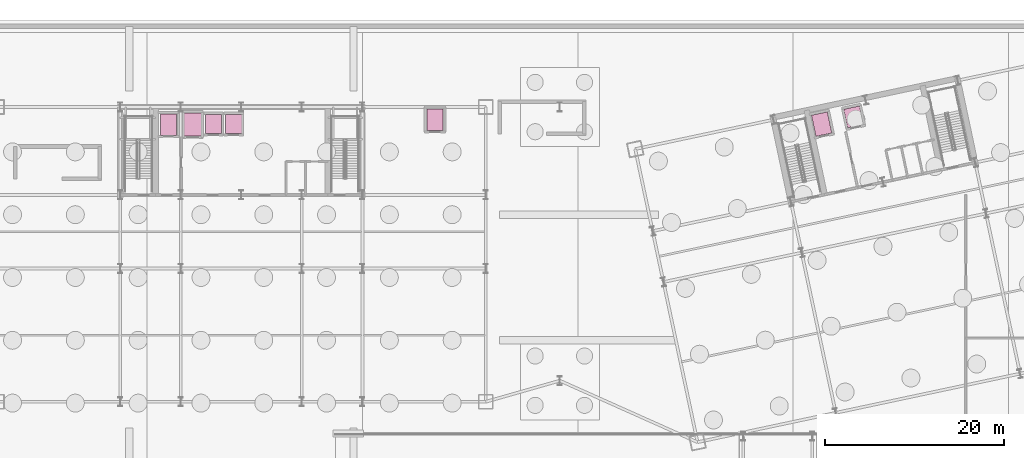
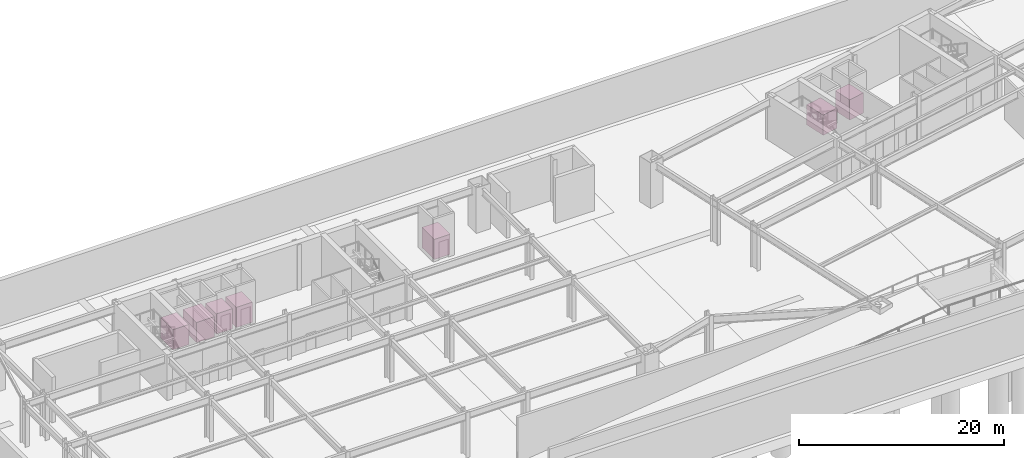
# One storey, part 15 of 15: 7 transport elements.
"""IFC4 building model written with IfcOpenShell, lengths in metres."""

from ifc_helpers import new_model, si_unit, direction, frame, origin, origin_2d, place, context, subcontext, project, spatial, rectangle, extrude, material, type_object, element, save


model = new_model("IFC4")

# Units and contexts
model_context = context("Model", 3, precision=1e-05, world=origin(), true_north=direction((0.0, 1.0)))
body_context = subcontext(model_context, "Body", "Model", "MODEL_VIEW")
ifc_project = project(units=[si_unit("LENGTHUNIT", "METRE"), si_unit("AREAUNIT", "SQUARE_METRE"), si_unit("VOLUMEUNIT", "CUBIC_METRE"), si_unit("PLANEANGLEUNIT", "RADIAN"), si_unit("MASSUNIT", "GRAM", prefix="KILO")], contexts=[model_context])

# Site, building, storey
site_placement = place(None, origin())
site = spatial("IfcSite", under=ifc_project, at=site_placement, CompositionType="ELEMENT")
building_placement = place(site_placement, origin())
building = spatial("IfcBuilding", under=site, at=building_placement, Name="Haevon Station Towers", CompositionType="ELEMENT")
storey_placement = place(building_placement, frame((0.0, 0.0, -10.800048828125)))
storey = spatial("IfcBuildingStorey", under=building, at=storey_placement, Name="B02", CompositionType="ELEMENT", Elevation=-10.800048828125)

# Transport elements
ifc_material = material(Name="Stainless steel cabin assembly", Category="steel")
transport_element_type_1 = type_object("IfcTransportElementType", Name="LFT-FF1824", PredefinedType="ELEVATOR", material=ifc_material)
for number, where, z_axis, x_axis, name in (
    (1, (29.39990234375, 46.050048828125, 0.0), (0.0, 0.0, 1.0), (1.0, 0.0, 0.0), "Tower 1 Firefighting and Evacuation Lift FL1"),
    (2, (102.178466796875, 46.09375, 0.0), (0.0, 0.0, 1.0), (0.978147600734, 0.207911690818, 0.0), "Tower 2 Firefighting and Evacuation Lift FL2"),
):
    element("IfcTransportElement", number, at=place(storey_placement, frame(where, z_axis=z_axis, x_axis=x_axis)), inside=storey, type_object=transport_element_type_1, Name=name, PredefinedType="ELEVATOR", context=body_context, shape_type="SweptSolid", body=[
        extrude(rectangle(XDim=1.800048828125, YDim=2.39990234375, at=origin_2d()), origin(), (0.0, 0.0, 1.0), 2.39990234375),
    ])
transport_element_type_2 = type_object("IfcTransportElementType", Name="LFT-PAX1821", PredefinedType="ELEVATOR", material=ifc_material)
for number, where, z_axis, x_axis, name in (
    (3, (34.39990234375, 46.10009765625, 0.0), (0.0, 0.0, 1.0), (1.0, 0.0, 0.0), "Tower 1 Low-Rise Passenger Lift PL1"),
    (4, (36.64990234375, 46.10009765625, 0.0), (0.0, 0.0, 1.0), (1.0, 0.0, 0.0), "Tower 1 Low-Rise Passenger Lift PL2"),
    (5, (105.73828125, 46.901611328125, 0.0), (0.0, 0.0, 1.0), (0.978147600734, 0.207911690818, 0.0), "Tower 2 Low-Rise Passenger Lift PL7"),
):
    element("IfcTransportElement", number, at=place(storey_placement, frame(where, z_axis=z_axis, x_axis=x_axis)), inside=storey, type_object=transport_element_type_2, Name=name, PredefinedType="ELEVATOR", context=body_context, shape_type="SweptSolid", body=[
        extrude(rectangle(XDim=1.800048828125, YDim=2.10009765625, at=origin_2d()), origin(), (0.0, 0.0, 1.0), 2.39990234375),
    ])
transport_element_type_3 = type_object("IfcTransportElementType", Name="LFT-PAX1824", PredefinedType="ELEVATOR", material=ifc_material)
transport_element_1_placement = place(storey_placement, frame((59.10009765625, 46.60009765625, 0.0), z_axis=(0.0, 0.0, 1.0), x_axis=(1.0, 0.0, 0.0)))
element("IfcTransportElement", 6, at=transport_element_1_placement, inside=storey, type_object=transport_element_type_3, Name="Station Concourse Accessible Lift PL11", PredefinedType="ELEVATOR", context=body_context, shape_type="SweptSolid", body=[
    extrude(rectangle(XDim=1.800048828125, YDim=2.39990234375, at=origin_2d()), origin(), (0.0, 0.0, 1.0), 2.39990234375),
])
transport_element_type_4 = type_object("IfcTransportElementType", Name="LFT-SVC2026", PredefinedType="ELEVATOR", material=ifc_material)
transport_element_2_placement = place(storey_placement, frame((32.10009765625, 46.050048828125, 0.0), z_axis=(0.0, 0.0, 1.0), x_axis=(1.0, 0.0, 0.0)))
element("IfcTransportElement", 7, at=transport_element_2_placement, inside=storey, type_object=transport_element_type_4, Name="Tower 1 Service and Goods Lift SL1", PredefinedType="ELEVATOR", context=body_context, shape_type="SweptSolid", body=[
    extrude(rectangle(XDim=2.0, YDim=2.60009765625, at=origin_2d()), origin(), (0.0, 0.0, 1.0), 2.39990234375),
])

save(model, "model.ifc")
